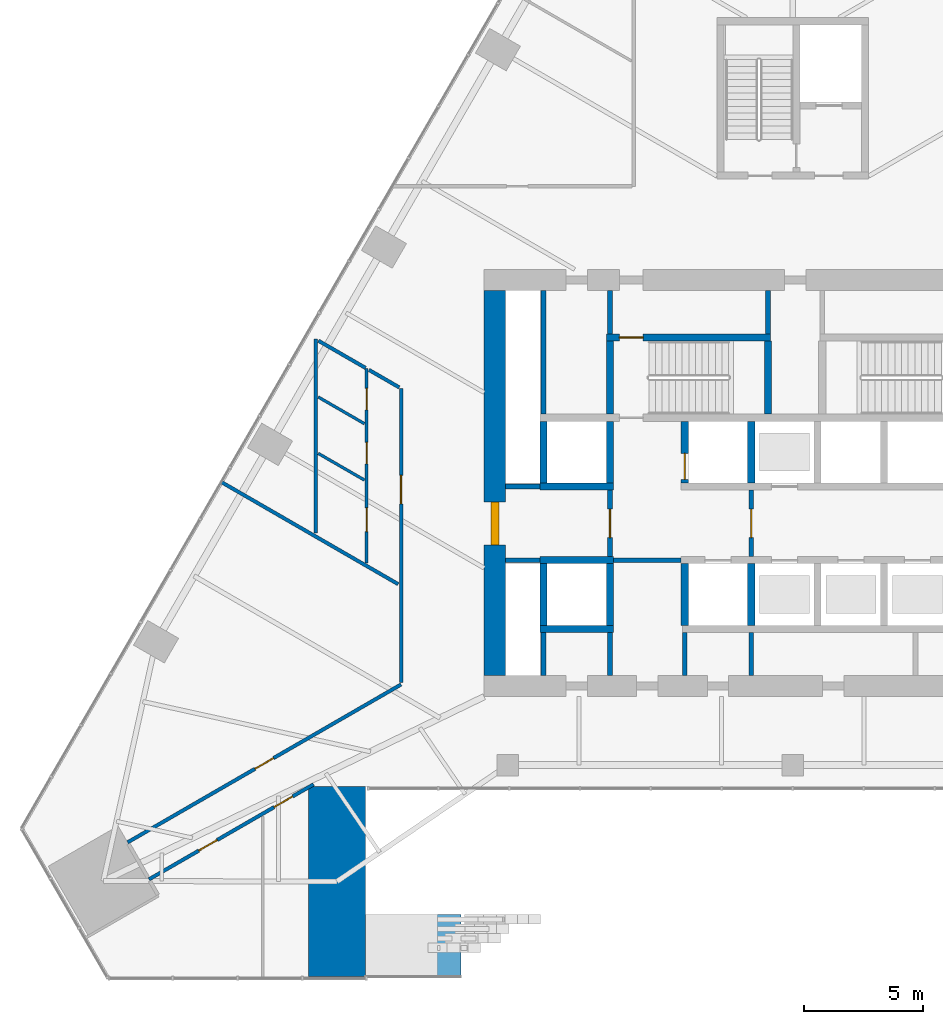
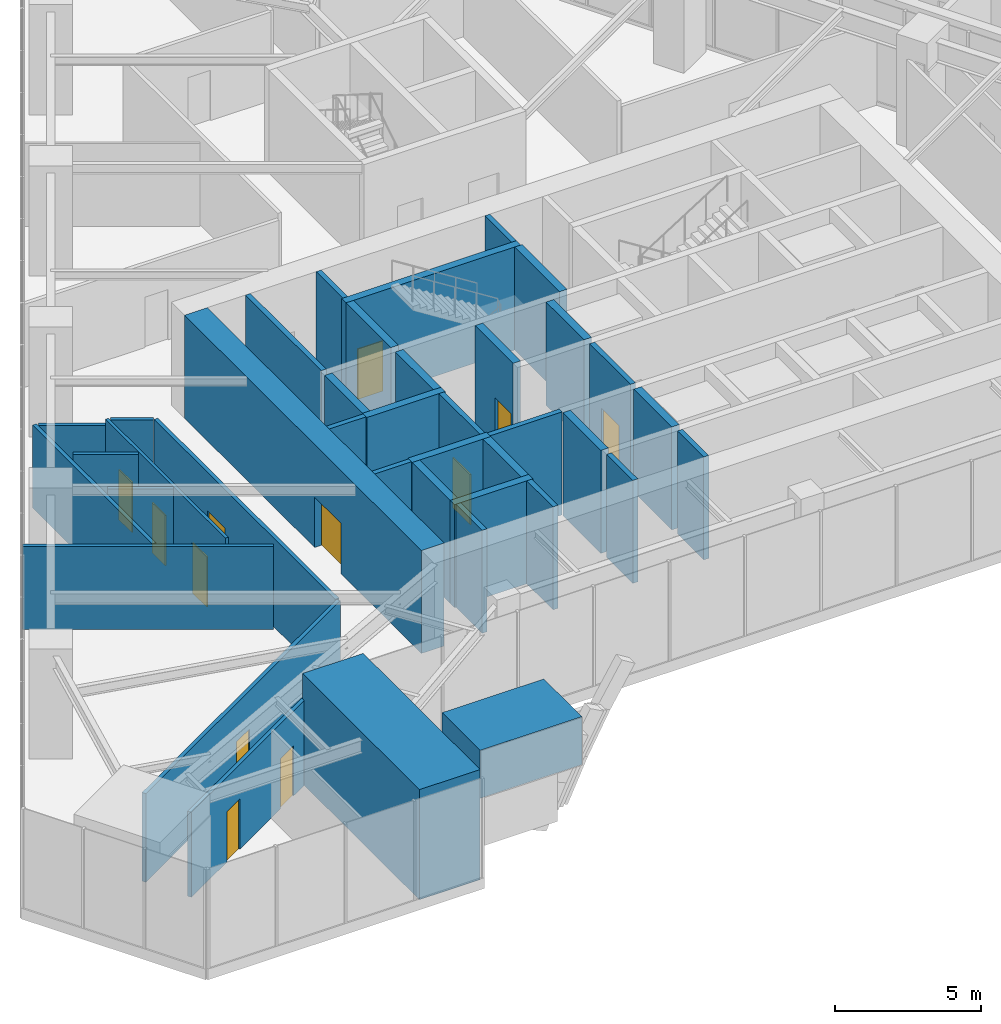
# One storey, part 17 of 30: 39 walls, 12 doors, 12 openings.
"""IFC4 building model written with IfcOpenShell, lengths in metres."""

from ifc_helpers import new_model, si_unit, direction, frame, frame_2d, origin, place, context, subcontext, project, spatial, rectangle, extrude, material, layer, layer_set, type_object, element, fill, save


model = new_model("IFC4")

# Units and contexts
model_context = context("Model", 3, precision=1e-05, world=origin(), true_north=direction((0.0, 1.0)))
body_context = subcontext(model_context, "Body", "Model", "MODEL_VIEW")
ifc_project = project(units=[si_unit("LENGTHUNIT", "METRE"), si_unit("AREAUNIT", "SQUARE_METRE"), si_unit("VOLUMEUNIT", "CUBIC_METRE"), si_unit("PLANEANGLEUNIT", "RADIAN"), si_unit("MASSUNIT", "GRAM", prefix="KILO")], contexts=[model_context])

# Site, building, storey
site_placement = place(None, origin())
site = spatial("IfcSite", under=ifc_project, at=site_placement, CompositionType="ELEMENT")
building_placement = place(site_placement, origin())
building = spatial("IfcBuilding", under=site, at=building_placement, Name="Firuza Gate Tower and Library", CompositionType="ELEMENT")
storey_placement = place(building_placement, frame((0.0, 0.0, 12.60009765625)))
storey = spatial("IfcBuildingStorey", under=building, at=storey_placement, Name="L02", CompositionType="ELEMENT", Elevation=12.60009765625)

# Walls
ifc_material_1 = material(Name="Plasterboard on steel studs", Category="steel")
ifc_layer_1 = layer(ifc_material_1, 0.199951171875)
ifc_layer_set_1 = layer_set([ifc_layer_1], Name="Core partition 200 EI 120")
wall_type_1 = type_object("IfcWallType", Name="Core partition 200 EI 120", PredefinedType="PARTITIONING", material=ifc_layer_set_1)
wall_1_placement = place(storey_placement, frame((62.89990234375, 71.75, 0.0), z_axis=(0.0, 0.0, 1.0), x_axis=(1.0, 0.0, 0.0)))
element("IfcWall", 1, at=wall_1_placement, inside=storey, type_object=wall_type_1, Name="Core partition L02 1", PredefinedType="PARTITIONING", context=body_context, shape_type="SweptSolid", body=[
    extrude(rectangle(XDim=1.4501953125, YDim=0.199951171875, at=frame_2d((0.72509765625, 0.0))), origin(), (0.0, 0.0, 1.0), 4.2998046875),
])
wall_2_placement = place(storey_placement, frame((67.449951171875, 71.75, 0.0), z_axis=(0.0, 0.0, 1.0), x_axis=(1.0, 0.0, 0.0)))
element("IfcWall", 2, at=wall_2_placement, inside=storey, type_object=wall_type_1, Name="Core partition L02 2", PredefinedType="PARTITIONING", context=body_context, shape_type="SweptSolid", body=[
    extrude(rectangle(XDim=2.85009765625, YDim=0.199951171875, at=frame_2d((1.425048828125, 0.0))), origin(), (0.0, 0.0, 1.0), 4.2998046875),
])
wall_3_placement = place(storey_placement, frame((62.89990234375, 74.85009765625, 0.0), z_axis=(0.0, 0.0, 1.0), x_axis=(1.0, 0.0, 0.0)))
element("IfcWall", 3, at=wall_3_placement, inside=storey, type_object=wall_type_1, Name="Core partition L02 3", PredefinedType="PARTITIONING", context=body_context, shape_type="SweptSolid", body=[
    extrude(rectangle(XDim=1.4501953125, YDim=0.199951171875, at=frame_2d((0.72509765625, 0.0))), origin(), (0.0, 0.0, 1.0), 4.2998046875),
])
wall_4_placement = place(storey_placement, frame((64.5, 66.89990234375, 0.0), z_axis=(0.0, 0.0, 1.0), x_axis=(0.0, 1.0, 0.0)))
element("IfcWall", 4, at=wall_4_placement, inside=storey, type_object=wall_type_1, Name="Core partition L02 5", PredefinedType="PARTITIONING", context=body_context, shape_type="SweptSolid", body=[
    extrude(rectangle(XDim=1.800048828125, YDim=0.199951171875, at=frame_2d((0.89990234375, 0.0))), origin(), (0.0, 0.0, 1.0), 4.2998046875),
])
wall_5_placement = place(storey_placement, frame((64.5, 77.89990234375, 0.0), z_axis=(0.0, 0.0, 1.0), x_axis=(0.0, 1.0, 0.0)))
element("IfcWall", 5, at=wall_5_placement, inside=storey, type_object=wall_type_1, Name="Core partition L02 6", PredefinedType="PARTITIONING", context=body_context, shape_type="SweptSolid", body=[
    extrude(rectangle(XDim=5.2001953125, YDim=0.199951171875, at=frame_2d((2.60009765625, 0.0))), origin(), (0.0, 0.0, 1.0), 4.2998046875),
])
for number, where, z_axis, x_axis, name in (
    (6, (67.300048828125, 66.89990234375, 0.0), (0.0, 0.0, 1.0), (0.0, 1.0, 0.0), "Core partition L02 7"),
    (7, (70.449951171875, 66.89990234375, 0.0), (0.0, 0.0, 1.0), (0.0, 1.0, 0.0), "Core partition L02 10"),
    (8, (73.25, 66.89990234375, 0.0), (0.0, 0.0, 1.0), (0.0, 1.0, 0.0), "Core partition L02 11"),
):
    element("IfcWall", number, at=place(storey_placement, frame(where, z_axis=z_axis, x_axis=x_axis)), inside=storey, type_object=wall_type_1, Name=name, PredefinedType="PARTITIONING", context=body_context, shape_type="SweptSolid", body=[
        extrude(rectangle(XDim=1.800048828125, YDim=0.199951171875, at=frame_2d((0.89990234375, 0.0))), origin(), (0.0, 0.0, 1.0), 4.2998046875),
    ])

# Wall, opening, door
ifc_material_2 = material(Name="Plasterboard on steel studs", Category="steel")
ifc_layer_2 = layer(ifc_material_2, 0.199951171875)
ifc_layer_set_2 = layer_set([ifc_layer_2], Name="Core partition 200 EI 60")
wall_type_2 = type_object("IfcWallType", Name="Core partition 200 EI 60", PredefinedType="PARTITIONING", material=ifc_layer_set_2)
wall_6_placement = place(storey_placement, frame((67.300048828125, 71.89990234375, 0.0), z_axis=(0.0, 0.0, 1.0), x_axis=(0.0, 1.0, 0.0)))
wall_6 = element("IfcWall", 9, at=wall_6_placement, inside=storey, type_object=wall_type_2, Name="Core partition L02 8", PredefinedType="PARTITIONING", context=body_context, shape_type="SweptSolid", body=[
    extrude(rectangle(XDim=2.800048828125, YDim=0.199951171875, at=frame_2d((1.39990234375, 0.0))), origin(), (0.0, 0.0, 1.0), 4.2998046875),
])
opening_1_placement = place(wall_6_placement, frame((0.800048828125, 0.0, 0.0)))
opening_1 = element("IfcOpeningElement", 10, at=opening_1_placement, cuts=wall_6, Name="Opening L02-K21", PredefinedType="OPENING", context=body_context, shape_type="SweptSolid", body=[
    extrude(rectangle(XDim=1.199951171875, YDim=2.10009765625, at=frame_2d((0.60009765625, 1.050048828125))), frame((0.0, 0.10986328125, 0.0), z_axis=(0.0, -1.0, 0.0), x_axis=(1.0, 0.0, 0.0)), (0.0, 0.0, 1.0), 0.219970703125),
])
ifc_material_3 = material(Name="Steel", Category="steel")
door_type_1 = type_object("IfcDoorType", Name="Fire door 1200x2100 FD90S", OperationType="NOTDEFINED", PredefinedType="DOOR", material=ifc_material_3)
door_1_placement = place(opening_1_placement, origin())
door_1 = element("IfcDoor", 11, at=door_1_placement, inside=storey, type_object=door_type_1, Name="Door L02-K21", OperationType="SINGLE_SWING_RIGHT", OverallHeight=2.10009765625, OverallWidth=1.199951171875, PredefinedType="DOOR", context=body_context, shape_type="SweptSolid", body=[
    extrude(rectangle(XDim=1.199951171875, YDim=2.10009765625, at=frame_2d((0.60009765625, 1.050048828125))), frame((0.0, 0.02490234375, 0.0), z_axis=(0.0, -1.0, 0.0), x_axis=(1.0, 0.0, 0.0)), (0.0, 0.0, 1.0), 0.050048828125),
])
fill(opening_1, door_1)

# Wall
wall_7_placement = place(storey_placement, frame((67.300048828125, 81.280029296875, 0.0), z_axis=(0.0, 0.0, 1.0), x_axis=(0.0, 1.0, 0.0)))
element("IfcWall", 12, at=wall_7_placement, inside=storey, type_object=wall_type_2, Name="Core partition L02 9", PredefinedType="PARTITIONING", context=body_context, shape_type="SweptSolid", body=[
    extrude(rectangle(XDim=1.820068359375, YDim=0.199951171875, at=frame_2d((0.91015625, 0.0))), origin(), (0.0, 0.0, 1.0), 4.2998046875),
])

# Wall, opening, door
wall_8_placement = place(storey_placement, frame((73.25, 71.89990234375, 0.0), z_axis=(0.0, 0.0, 1.0), x_axis=(0.0, 1.0, 0.0)))
wall_8 = element("IfcWall", 13, at=wall_8_placement, inside=storey, type_object=wall_type_2, Name="Core partition L02 12", PredefinedType="PARTITIONING", context=body_context, shape_type="SweptSolid", body=[
    extrude(rectangle(XDim=2.800048828125, YDim=0.199951171875, at=frame_2d((1.39990234375, 0.0))), origin(), (0.0, 0.0, 1.0), 4.2998046875),
])
opening_2_placement = place(wall_8_placement, frame((0.800048828125, 0.0, 0.0)))
opening_2 = element("IfcOpeningElement", 14, at=opening_2_placement, cuts=wall_8, Name="Opening L02-K20", PredefinedType="OPENING", context=body_context, shape_type="SweptSolid", body=[
    extrude(rectangle(XDim=1.199951171875, YDim=2.10009765625, at=frame_2d((0.60009765625, 1.050048828125))), frame((0.0, 0.10986328125, 0.0), z_axis=(0.0, -1.0, 0.0), x_axis=(1.0, 0.0, 0.0)), (0.0, 0.0, 1.0), 0.219970703125),
])
door_2_placement = place(opening_2_placement, origin())
door_2 = element("IfcDoor", 15, at=door_2_placement, inside=storey, type_object=door_type_1, Name="Door L02-K20", OperationType="SINGLE_SWING_LEFT", OverallHeight=2.10009765625, OverallWidth=1.199951171875, PredefinedType="DOOR", context=body_context, shape_type="SweptSolid", body=[
    extrude(rectangle(XDim=1.199951171875, YDim=2.10009765625, at=frame_2d((0.60009765625, 1.050048828125))), frame((0.0, 0.02490234375, 0.0), z_axis=(0.0, -1.0, 0.0), x_axis=(1.0, 0.0, 0.0)), (0.0, 0.0, 1.0), 0.050048828125),
])
fill(opening_2, door_2)

# Walls
wall_9_placement = place(storey_placement, frame((73.9599609375, 81.280029296875, 0.0), z_axis=(0.0, 0.0, 1.0), x_axis=(0.0, 1.0, 0.0)))
element("IfcWall", 16, at=wall_9_placement, inside=storey, type_object=wall_type_2, Name="Core partition L02 13", PredefinedType="PARTITIONING", context=body_context, shape_type="SweptSolid", body=[
    extrude(rectangle(XDim=1.820068359375, YDim=0.199951171875, at=frame_2d((0.91015625, 0.0))), origin(), (0.0, 0.0, 1.0), 4.2998046875),
])
ifc_material_4 = material(Name="Concrete C80/95", Category="concrete")
ifc_layer_3 = layer(ifc_material_4, 0.300048828125)
ifc_layer_set_3 = layer_set([ifc_layer_3], Name="Core wall 300 C80/95")
wall_type_3 = type_object("IfcWallType", Name="Core wall 300 C80/95", PredefinedType="SHEAR", material=ifc_layer_set_3)
for number, where, z_axis, x_axis, name in (
    (17, (64.35009765625, 68.85009765625, 0.0), (0.0, 0.0, 1.0), (1.0, 0.0, 0.0), "Core wall L02 5"),
    (18, (64.35009765625, 71.75, 0.0), (0.0, 0.0, 1.0), (1.0, 0.0, 0.0), "Core wall L02 7"),
    (19, (64.35009765625, 74.85009765625, 0.0), (0.0, 0.0, 1.0), (1.0, 0.0, 0.0), "Core wall L02 9"),
):
    element("IfcWall", number, at=place(storey_placement, frame(where, z_axis=z_axis, x_axis=x_axis)), inside=storey, type_object=wall_type_3, Name=name, PredefinedType="SHEAR", context=body_context, shape_type="SweptSolid", body=[
        extrude(rectangle(XDim=3.099853515625, YDim=0.300048828125, at=frame_2d((1.5498046875, 0.0))), origin(), (0.0, 0.0, 1.0), 4.2998046875),
    ])
for number, where, z_axis, x_axis, name in (
    (20, (64.5, 69.0, 0.0), (0.0, 0.0, 1.0), (0.0, 1.0, 0.0), "Core wall L02 11"),
    (21, (64.5, 75.0, 0.0), (0.0, 0.0, 1.0), (0.0, 1.0, 0.0), "Core wall L02 12"),
    (22, (67.300048828125, 69.0, 0.0), (0.0, 0.0, 1.0), (0.0, 1.0, 0.0), "Core wall L02 13"),
    (23, (67.300048828125, 75.0, 0.0), (0.0, 0.0, 1.0), (0.0, 1.0, 0.0), "Core wall L02 14"),
    (24, (70.449951171875, 69.0, 0.0), (0.0, 0.0, 1.0), (0.0, 1.0, 0.0), "Core wall L02 15"),
):
    element("IfcWall", number, at=place(storey_placement, frame(where, z_axis=z_axis, x_axis=x_axis)), inside=storey, type_object=wall_type_3, Name=name, PredefinedType="SHEAR", context=body_context, shape_type="SweptSolid", body=[
        extrude(rectangle(XDim=2.60009765625, YDim=0.300048828125, at=frame_2d((1.300048828125, 0.0))), origin(), (0.0, 0.0, 1.0), 4.2998046875),
    ])

# Wall, opening, door
wall_10_placement = place(storey_placement, frame((70.449951171875, 75.0, 0.0), z_axis=(0.0, 0.0, 1.0), x_axis=(0.0, 1.0, 0.0)))
wall_10 = element("IfcWall", 25, at=wall_10_placement, inside=storey, type_object=wall_type_3, Name="Core wall L02 16", PredefinedType="SHEAR", context=body_context, shape_type="SweptSolid", body=[
    extrude(rectangle(XDim=2.60009765625, YDim=0.300048828125, at=frame_2d((1.300048828125, 0.0))), origin(), (0.0, 0.0, 1.0), 4.2998046875),
])
opening_3_placement = place(wall_10_placement, frame((0.14990234375, 0.0, 0.0)))
opening_3 = element("IfcOpeningElement", 26, at=opening_3_placement, cuts=wall_10, Name="Opening LD-FF2-L02", PredefinedType="OPENING", context=body_context, shape_type="SweptSolid", body=[
    extrude(rectangle(XDim=1.10009765625, YDim=2.10009765625, at=frame_2d((0.550048828125, 1.050048828125))), frame((0.0, 0.16015625, 0.0), z_axis=(0.0, -1.0, 0.0), x_axis=(1.0, 0.0, 0.0)), (0.0, 0.0, 1.0), 0.320068359375),
])
ifc_material_5 = material(Name="Stainless steel", Category="steel")
door_type_2 = type_object("IfcDoorType", Name="Lift landing door 1100x2100", OperationType="DOUBLE_DOOR_SLIDING", PredefinedType="DOOR", material=ifc_material_5)
door_3_placement = place(opening_3_placement, origin())
door_3 = element("IfcDoor", 27, at=door_3_placement, inside=storey, type_object=door_type_2, Name="Landing door FF2 L02", OperationType="DOUBLE_DOOR_SLIDING", OverallHeight=2.10009765625, OverallWidth=1.10009765625, PredefinedType="DOOR", context=body_context, shape_type="SweptSolid", body=[
    extrude(rectangle(XDim=1.10009765625, YDim=2.10009765625, at=frame_2d((0.550048828125, 1.050048828125))), frame((0.0, 0.02490234375, 0.0), z_axis=(0.0, -1.0, 0.0), x_axis=(1.0, 0.0, 0.0)), (0.0, 0.0, 1.0), 0.050048828125),
])
fill(opening_3, door_3)

# Walls
for number, where, z_axis, x_axis, name in (
    (28, (73.25, 69.0, 0.0), (0.0, 0.0, 1.0), (0.0, 1.0, 0.0), "Core wall L02 17"),
    (29, (73.25, 75.0, 0.0), (0.0, 0.0, 1.0), (0.0, 1.0, 0.0), "Core wall L02 18"),
):
    element("IfcWall", number, at=place(storey_placement, frame(where, z_axis=z_axis, x_axis=x_axis)), inside=storey, type_object=wall_type_3, Name=name, PredefinedType="SHEAR", context=body_context, shape_type="SweptSolid", body=[
        extrude(rectangle(XDim=2.60009765625, YDim=0.300048828125, at=frame_2d((1.300048828125, 0.0))), origin(), (0.0, 0.0, 1.0), 4.2998046875),
    ])

# Wall, opening, door
wall_11_placement = place(storey_placement, frame((67.14990234375, 81.1298828125, 0.0), z_axis=(0.0, 0.0, 1.0), x_axis=(1.0, 0.0, 0.0)))
wall_11 = element("IfcWall", 30, at=wall_11_placement, inside=storey, type_object=wall_type_3, Name="Core wall L02 28", PredefinedType="SHEAR", context=body_context, shape_type="SweptSolid", body=[
    extrude(rectangle(XDim=6.91015625, YDim=0.300048828125, at=frame_2d((3.455078125, 0.0))), origin(), (0.0, 0.0, 1.0), 4.2998046875),
])
opening_4_placement = place(wall_11_placement, frame((0.544921875, 0.0, 0.0)))
opening_4 = element("IfcOpeningElement", 31, at=opening_4_placement, cuts=wall_11, Name="Opening L02-K13", PredefinedType="OPENING", context=body_context, shape_type="SweptSolid", body=[
    extrude(rectangle(XDim=1.0, YDim=2.10009765625, at=frame_2d((0.5, 1.050048828125))), frame((0.0, 0.16015625, 0.0), z_axis=(0.0, -1.0, 0.0), x_axis=(1.0, 0.0, 0.0)), (0.0, 0.0, 1.0), 0.320068359375),
])
ifc_material_6 = material(Name="Steel", Category="steel")
door_type_3 = type_object("IfcDoorType", Name="Fire door 1000x2100 FD90", OperationType="NOTDEFINED", PredefinedType="DOOR", material=ifc_material_6)
door_4_placement = place(opening_4_placement, origin())
door_4 = element("IfcDoor", 32, at=door_4_placement, inside=storey, type_object=door_type_3, Name="Door L02-K13", OperationType="SINGLE_SWING_RIGHT", OverallHeight=2.10009765625, OverallWidth=1.0, PredefinedType="DOOR", context=body_context, shape_type="SweptSolid", body=[
    extrude(rectangle(XDim=1.0, YDim=2.10009765625, at=frame_2d((0.5, 1.050048828125))), frame((0.0, 0.02490234375, 0.0), z_axis=(0.0, -1.0, 0.0), x_axis=(1.0, 0.0, 0.0)), (0.0, 0.0, 1.0), 0.050048828125),
])
fill(opening_4, door_4)

# Walls
for number, where, z_axis, x_axis, name in (
    (33, (67.300048828125, 77.89990234375, 0.0), (0.0, 0.0, 1.0), (0.0, 1.0, 0.0), "Core wall L02 30"),
    (34, (73.9599609375, 77.89990234375, 0.0), (0.0, 0.0, 1.0), (0.0, 1.0, 0.0), "Core wall L02 31"),
):
    element("IfcWall", number, at=place(storey_placement, frame(where, z_axis=z_axis, x_axis=x_axis)), inside=storey, type_object=wall_type_3, Name=name, PredefinedType="SHEAR", context=body_context, shape_type="SweptSolid", body=[
        extrude(rectangle(XDim=3.080078125, YDim=0.300048828125, at=frame_2d((1.5400390625, 0.0))), origin(), (0.0, 0.0, 1.0), 4.2998046875),
    ])

# Wall, opening, door
ifc_material_7 = material(Name="Concrete C80/95", Category="concrete")
ifc_layer_4 = layer(ifc_material_7, 0.89990234375)
ifc_layer_set_4 = layer_set([ifc_layer_4], Name="Core wall 900 C80/95")
wall_type_4 = type_object("IfcWallType", Name="Core wall 900 C80/95", PredefinedType="SHEAR", material=ifc_layer_set_4)
wall_12_placement = place(storey_placement, frame((62.449951171875, 66.89990234375, 0.0), z_axis=(0.0, 0.0, 1.0), x_axis=(0.0, 1.0, 0.0)))
wall_12 = element("IfcWall", 35, at=wall_12_placement, inside=storey, type_object=wall_type_4, Name="Core wall L02 3", PredefinedType="SHEAR", context=body_context, shape_type="SweptSolid", body=[
    extrude(rectangle(XDim=16.2001953125, YDim=0.89990234375, at=frame_2d((8.10009765625, 0.0))), origin(), (0.0, 0.0, 1.0), 4.2998046875),
])
opening_5_placement = place(wall_12_placement, frame((5.5, 0.0, 0.0)))
opening_5 = element("IfcOpeningElement", 36, at=opening_5_placement, cuts=wall_12, Name="Opening L02-K22", PredefinedType="OPENING", context=body_context, shape_type="SweptSolid", body=[
    extrude(rectangle(XDim=1.800048828125, YDim=2.10009765625, at=frame_2d((0.89990234375, 1.050048828125))), frame((0.0, 0.4599609375, 0.0), z_axis=(0.0, -1.0, 0.0), x_axis=(1.0, 0.0, 0.0)), (0.0, 0.0, 1.0), 0.919921875),
])
ifc_material_8 = material(Name="Steel", Category="steel")
door_type_4 = type_object("IfcDoorType", Name="Fire door 1800x2100 FD30S", OperationType="NOTDEFINED", PredefinedType="DOOR", material=ifc_material_8)
door_5_placement = place(opening_5_placement, origin())
door_5 = element("IfcDoor", 37, at=door_5_placement, inside=storey, type_object=door_type_4, Name="Door L02-K22", OperationType="SINGLE_SWING_LEFT", OverallHeight=2.10009765625, OverallWidth=1.800048828125, PredefinedType="DOOR", context=body_context, shape_type="SweptSolid", body=[
    extrude(rectangle(XDim=1.800048828125, YDim=2.10009765625, at=frame_2d((0.89990234375, 1.050048828125))), frame((0.0, 0.169921875, 0.0), z_axis=(0.0, -1.0, 0.0), x_axis=(1.0, 0.0, 0.0)), (0.0, 0.0, 1.0), 0.33984375),
])
fill(opening_5, door_5)

# Wall, openings, doors
ifc_material_9 = material(Name="Gypsum board partition")
ifc_layer_5 = layer(ifc_material_9, 0.14990234375)
ifc_layer_set_5 = layer_set([ifc_layer_5], Name="Corridor wall 150 double board on steel studs")
wall_type_5 = type_object("IfcWallType", Name="Corridor wall 150 double board on steel studs", PredefinedType="PARTITIONING", material=ifc_layer_set_5)
wall_13_placement = place(storey_placement, frame((54.813720703125, 62.306396484375, 0.0), z_axis=(0.0, 0.0, 1.0), x_axis=(-0.866017985154, -0.500012849225, 0.0)))
wall_13 = element("IfcWall", 38, at=wall_13_placement, inside=storey, type_object=wall_type_5, Name="f:L02:w009", PredefinedType="PARTITIONING", context=body_context, shape_type="SweptSolid", body=[
    extrude(rectangle(XDim=8.005126953125, YDim=0.14990234375, at=frame_2d((4.00244140625, 0.0))), origin(), (0.0, 0.0, 1.0), 3.546875),
])
opening_6_placement = place(wall_13_placement, frame((1.018798828125, 0.0, 0.0)))
opening_6 = element("IfcOpeningElement", 39, at=opening_6_placement, cuts=wall_13, Name="Opening L02-04", PredefinedType="OPENING", context=body_context, shape_type="SweptSolid", body=[
    extrude(rectangle(XDim=0.89990234375, YDim=2.10009765625, at=frame_2d((0.449951171875, 1.050048828125))), frame((0.0, 0.0849609375, 0.0), z_axis=(0.0, -1.0, 0.0), x_axis=(1.0, 0.0, 0.0)), (0.0, 0.0, 1.0), 0.169921875),
])
opening_7_placement = place(wall_13_placement, frame((4.68310546875, 0.0, 0.0)))
opening_7 = element("IfcOpeningElement", 40, at=opening_7_placement, cuts=wall_13, Name="Opening L02-05", PredefinedType="OPENING", context=body_context, shape_type="SweptSolid", body=[
    extrude(rectangle(XDim=0.89990234375, YDim=2.10009765625, at=frame_2d((0.449951171875, 1.050048828125))), frame((0.0, 0.0849609375, 0.0), z_axis=(0.0, -1.0, 0.0), x_axis=(1.0, 0.0, 0.0)), (0.0, 0.0, 1.0), 0.169921875),
])
ifc_material_10 = material(Name="Steel door and timber leaf", Category="steel")
door_type_5 = type_object("IfcDoorType", Name="Fire door 900 x 2100 steel frame, timber leaf", OperationType="NOTDEFINED", PredefinedType="DOOR", material=ifc_material_10)
door_6_placement = place(opening_6_placement, origin())
door_6 = element("IfcDoor", 41, at=door_6_placement, inside=storey, type_object=door_type_5, Name="f:L02:d004", OperationType="SINGLE_SWING_LEFT", OverallHeight=2.10009765625, OverallWidth=0.89990234375, PredefinedType="DOOR", context=body_context, shape_type="SweptSolid", body=[
    extrude(rectangle(XDim=0.89990234375, YDim=2.10009765625, at=frame_2d((0.449951171875, 1.050048828125))), frame((0.0, 0.02490234375, 0.0), z_axis=(0.0, -1.0, 0.0), x_axis=(1.0, 0.0, 0.0)), (0.0, 0.0, 1.0), 0.050048828125),
])
fill(opening_6, door_6)
door_7_placement = place(opening_7_placement, origin())
door_7 = element("IfcDoor", 42, at=door_7_placement, inside=storey, type_object=door_type_5, Name="f:L02:d005", OperationType="SINGLE_SWING_RIGHT", OverallHeight=2.10009765625, OverallWidth=0.89990234375, PredefinedType="DOOR", context=body_context, shape_type="SweptSolid", body=[
    extrude(rectangle(XDim=0.89990234375, YDim=2.10009765625, at=frame_2d((0.449951171875, 1.050048828125))), frame((0.0, 0.02490234375, 0.0), z_axis=(0.0, -1.0, 0.0), x_axis=(1.0, 0.0, 0.0)), (0.0, 0.0, 1.0), 0.050048828125),
])
fill(opening_7, door_7)

# Wall, opening, door
wall_14_placement = place(storey_placement, frame((46.9814453125, 59.86279296875, 0.0), z_axis=(0.0, 0.0, 1.0), x_axis=(0.866028469435, 0.4999946901, 0.0)))
wall_14 = element("IfcWall", 43, at=wall_14_placement, inside=storey, type_object=wall_type_5, Name="f:L02:w011", PredefinedType="PARTITIONING", context=body_context, shape_type="SweptSolid", body=[
    extrude(rectangle(XDim=13.300537109375, YDim=0.14990234375, at=frame_2d((6.650390625, 0.0))), origin(), (0.0, 0.0, 1.0), 3.699951171875),
])
opening_8_placement = place(wall_14_placement, frame((6.2001953125, 0.0, 0.0)))
opening_8 = element("IfcOpeningElement", 44, at=opening_8_placement, cuts=wall_14, Name="Opening L02-06", PredefinedType="OPENING", context=body_context, shape_type="SweptSolid", body=[
    extrude(rectangle(XDim=0.89990234375, YDim=2.10009765625, at=frame_2d((0.449951171875, 1.050048828125))), frame((0.0, 0.0849609375, 0.0), z_axis=(0.0, -1.0, 0.0), x_axis=(1.0, 0.0, 0.0)), (0.0, 0.0, 1.0), 0.169921875),
])
door_8_placement = place(opening_8_placement, origin())
door_8 = element("IfcDoor", 45, at=door_8_placement, inside=storey, type_object=door_type_5, Name="f:L02:d006", OperationType="SINGLE_SWING_LEFT", OverallHeight=2.10009765625, OverallWidth=0.89990234375, PredefinedType="DOOR", context=body_context, shape_type="SweptSolid", body=[
    extrude(rectangle(XDim=0.89990234375, YDim=2.10009765625, at=frame_2d((0.449951171875, 1.050048828125))), frame((0.0, 0.02490234375, 0.0), z_axis=(0.0, -1.0, 0.0), x_axis=(1.0, 0.0, 0.0)), (0.0, 0.0, 1.0), 0.050048828125),
])
fill(opening_8, door_8)

wall_15_placement = place(storey_placement, frame((58.5, 66.599609375, 0.0), z_axis=(0.0, 0.0, 1.0), x_axis=(0.0, 1.0, 0.0)))
wall_15 = element("IfcWall", 46, at=wall_15_placement, inside=storey, type_object=wall_type_5, Name="f:L02:w021", PredefinedType="PARTITIONING", context=body_context, shape_type="SweptSolid", body=[
    extrude(rectangle(XDim=12.384033203125, YDim=0.14990234375, at=frame_2d((6.19189453125, 0.0))), origin(), (0.0, 0.0, 1.0), 3.699951171875),
])
opening_9_placement = place(wall_15_placement, frame((7.525634765625, 0.0, 0.0)))
opening_9 = element("IfcOpeningElement", 47, at=opening_9_placement, cuts=wall_15, Name="Opening L02-12", PredefinedType="OPENING", context=body_context, shape_type="SweptSolid", body=[
    extrude(rectangle(XDim=1.199951171875, YDim=2.10009765625, at=frame_2d((0.60009765625, 1.050048828125))), frame((0.0, 0.0849609375, 0.0), z_axis=(0.0, -1.0, 0.0), x_axis=(1.0, 0.0, 0.0)), (0.0, 0.0, 1.0), 0.169921875),
])
ifc_material_11 = material(Name="Steel door and timber leaf", Category="steel")
door_type_6 = type_object("IfcDoorType", Name="Fire door 1200 x 2100 steel frame, double leaf", OperationType="NOTDEFINED", PredefinedType="DOOR", material=ifc_material_11)
door_9_placement = place(opening_9_placement, origin())
door_9 = element("IfcDoor", 48, at=door_9_placement, inside=storey, type_object=door_type_6, Name="f:L02:d012", OperationType="DOUBLE_DOOR_SINGLE_SWING", OverallHeight=2.10009765625, OverallWidth=1.199951171875, PredefinedType="DOOR", context=body_context, shape_type="SweptSolid", body=[
    extrude(rectangle(XDim=1.199951171875, YDim=2.10009765625, at=frame_2d((0.60009765625, 1.050048828125))), frame((0.0, 0.02490234375, 0.0), z_axis=(0.0, -1.0, 0.0), x_axis=(1.0, 0.0, 0.0)), (0.0, 0.0, 1.0), 0.050048828125),
])
fill(opening_9, door_9)

# Walls
wall_16_placement = place(storey_placement, frame((54.89990234375, 72.885009765625, 0.0), z_axis=(0.0, 0.0, 1.0), x_axis=(0.0, 1.0, 0.0)))
element("IfcWall", 49, at=wall_16_placement, inside=storey, type_object=wall_type_5, Name="f:L02:w023", PredefinedType="PARTITIONING", context=body_context, shape_type="SweptSolid", body=[
    extrude(rectangle(XDim=8.17724609375, YDim=0.14990234375, at=frame_2d((4.088623046875, 0.0))), origin(), (0.0, 0.0, 1.0), 3.46484375),
])
wall_17_placement = place(storey_placement, frame((58.425048828125, 79.027099609375, 0.0), z_axis=(0.0, 0.0, 1.0), x_axis=(-0.866045035609, 0.499965995141, 0.0)))
element("IfcWall", 50, at=wall_17_placement, inside=storey, type_object=wall_type_5, Name="f:L02:w030", PredefinedType="PARTITIONING", context=body_context, shape_type="SweptSolid", body=[
    extrude(rectangle(XDim=1.47509765625, YDim=0.14990234375, at=frame_2d((0.737548828125, 0.0))), origin(), (0.0, 0.0, 1.0), 3.699951171875),
])
wall_18_placement = place(storey_placement, frame((58.3818359375, 70.73828125, 0.0), z_axis=(0.0, 0.0, 1.0), x_axis=(-0.866034496973, 0.499984249804, 0.0)))
element("IfcWall", 51, at=wall_18_placement, inside=storey, type_object=wall_type_5, Name="f:L02:w033", PredefinedType="PARTITIONING", context=body_context, shape_type="SweptSolid", body=[
    extrude(rectangle(XDim=8.583740234375, YDim=0.14990234375, at=frame_2d((4.2919921875, 0.0))), origin(), (0.0, 0.0, 1.0), 3.46484375),
])
wall_19_placement = place(storey_placement, frame((57.005126953125, 79.846923828125, 0.0), z_axis=(0.0, 0.0, 1.0), x_axis=(-0.866047360252, 0.499961968354, 0.0)))
element("IfcWall", 52, at=wall_19_placement, inside=storey, type_object=wall_type_5, Name="f:L02:w037", PredefinedType="PARTITIONING", context=body_context, shape_type="SweptSolid", body=[
    extrude(rectangle(XDim=2.294189453125, YDim=0.14990234375, at=frame_2d((1.14697265625, 0.0))), origin(), (0.0, 0.0, 1.0), 3.46484375),
])
ifc_material_12 = material(Name="Concrete C80/95", Category="concrete")
ifc_layer_6 = layer(ifc_material_12, 2.39990234375)
ifc_layer_set_6 = layer_set([ifc_layer_6], Name="Iwan wall 2400 C80/95")
wall_type_6 = type_object("IfcWallType", Name="Iwan wall 2400 C80/95", PredefinedType="SHEAR", material=ifc_layer_set_6)
wall_20_placement = place(storey_placement, frame((55.800048828125, 54.21533203125, 0.0), z_axis=(0.0, 0.0, 1.0), x_axis=(0.0, 1.0, 0.0)))
element("IfcWall", 53, at=wall_20_placement, inside=storey, type_object=wall_type_6, Name="Iwan wall W L02", PredefinedType="SHEAR", context=body_context, shape_type="SweptSolid", body=[
    extrude(rectangle(XDim=8.0, YDim=2.39990234375, at=frame_2d((4.0, 0.0))), origin(), (0.0, 0.0, 1.0), 4.599853515625),
])
ifc_material_13 = material(Name="Concrete C60/75", Category="concrete")
ifc_layer_7 = layer(ifc_material_13, 2.60009765625)
ifc_layer_set_7 = layer_set([ifc_layer_7], Name="Portal wall 2600 C60/75")
wall_type_7 = type_object("IfcWallType", Name="Portal wall 2600 C60/75", PredefinedType="SOLIDWALL", material=ifc_layer_set_7)
wall_21_placement = place(storey_placement, frame((57.0, 55.515380859375, 3.39990234375), z_axis=(0.0, 0.0, 1.0), x_axis=(1.0, 0.0, 0.0)))
element("IfcWall", 54, at=wall_21_placement, inside=storey, type_object=wall_type_7, Name="Portal wall course 9", PredefinedType="SOLIDWALL", context=body_context, shape_type="SweptSolid", body=[
    extrude(rectangle(XDim=4.0146484375, YDim=2.60009765625, at=frame_2d((2.00732421875, 0.0))), origin(), (0.0, 0.0, 1.0), 2.0),
])

# Wall, openings, doors
ifc_material_14 = material(Name="Gypsum board partition")
ifc_layer_8 = layer(ifc_material_14, 0.1201171875)
ifc_layer_set_8 = layer_set([ifc_layer_8], Name="Wet-area partition 120 moisture-resistant board")
wall_type_8 = type_object("IfcWallType", Name="Wet-area partition 120 moisture-resistant board", PredefinedType="PARTITIONING", material=ifc_layer_set_8)
wall_22_placement = place(storey_placement, frame((57.050048828125, 79.82080078125, 0.0), z_axis=(0.0, 0.0, 1.0), x_axis=(0.0, -1.0, 0.0)))
wall_22 = element("IfcWall", 55, at=wall_22_placement, inside=storey, type_object=wall_type_8, Name="f:L02:w022", PredefinedType="PARTITIONING", context=body_context, shape_type="SweptSolid", body=[
    extrude(rectangle(XDim=8.187255859375, YDim=0.1201171875, at=frame_2d((4.09375, 0.0))), origin(), (0.0, 0.0, 1.0), 3.699951171875),
])
opening_10_placement = place(wall_22_placement, frame((0.839111328125, 0.0, 0.0)))
opening_10 = element("IfcOpeningElement", 56, at=opening_10_placement, cuts=wall_22, Name="Opening L02-13", PredefinedType="OPENING", context=body_context, shape_type="SweptSolid", body=[
    extrude(rectangle(XDim=0.89990234375, YDim=2.10009765625, at=frame_2d((0.449951171875, 1.050048828125))), frame((0.0, 0.070068359375, 0.0), z_axis=(0.0, -1.0, 0.0), x_axis=(1.0, 0.0, 0.0)), (0.0, 0.0, 1.0), 0.14013671875),
])
opening_11_placement = place(wall_22_placement, frame((3.11279296875, 0.0, 0.0)))
opening_11 = element("IfcOpeningElement", 57, at=opening_11_placement, cuts=wall_22, Name="Opening L02-14", PredefinedType="OPENING", context=body_context, shape_type="SweptSolid", body=[
    extrude(rectangle(XDim=0.89990234375, YDim=2.10009765625, at=frame_2d((0.449951171875, 1.050048828125))), frame((0.0, 0.070068359375, 0.0), z_axis=(0.0, -1.0, 0.0), x_axis=(1.0, 0.0, 0.0)), (0.0, 0.0, 1.0), 0.14013671875),
])
opening_12_placement = place(wall_22_placement, frame((5.8671875, 0.0, 0.0)))
opening_12 = element("IfcOpeningElement", 58, at=opening_12_placement, cuts=wall_22, Name="Opening L02-15", PredefinedType="OPENING", context=body_context, shape_type="SweptSolid", body=[
    extrude(rectangle(XDim=1.0, YDim=2.10009765625, at=frame_2d((0.5, 1.050048828125))), frame((0.0, 0.070068359375, 0.0), z_axis=(0.0, -1.0, 0.0), x_axis=(1.0, 0.0, 0.0)), (0.0, 0.0, 1.0), 0.14013671875),
])
ifc_material_15 = material(Name="Timber door", Category="wood")
door_type_7 = type_object("IfcDoorType", Name="Door 1000 x 2100 timber leaf", OperationType="NOTDEFINED", PredefinedType="DOOR", material=ifc_material_15)
door_10_placement = place(opening_12_placement, origin())
door_10 = element("IfcDoor", 59, at=door_10_placement, inside=storey, type_object=door_type_7, Name="f:L02:d015", OperationType="SINGLE_SWING_LEFT", OverallHeight=2.10009765625, OverallWidth=1.0, PredefinedType="DOOR", context=body_context, shape_type="SweptSolid", body=[
    extrude(rectangle(XDim=1.0, YDim=2.10009765625, at=frame_2d((0.5, 1.050048828125))), frame((0.0, 0.02490234375, 0.0), z_axis=(0.0, -1.0, 0.0), x_axis=(1.0, 0.0, 0.0)), (0.0, 0.0, 1.0), 0.050048828125),
])
fill(opening_12, door_10)
ifc_material_16 = material(Name="Timber door", Category="wood")
door_type_8 = type_object("IfcDoorType", Name="Door 900 x 2100 timber leaf", OperationType="NOTDEFINED", PredefinedType="DOOR", material=ifc_material_16)
door_11_placement = place(opening_10_placement, origin())
door_11 = element("IfcDoor", 60, at=door_11_placement, inside=storey, type_object=door_type_8, Name="f:L02:d013", OperationType="SINGLE_SWING_LEFT", OverallHeight=2.10009765625, OverallWidth=0.89990234375, PredefinedType="DOOR", context=body_context, shape_type="SweptSolid", body=[
    extrude(rectangle(XDim=0.89990234375, YDim=2.10009765625, at=frame_2d((0.449951171875, 1.050048828125))), frame((0.0, 0.02490234375, 0.0), z_axis=(0.0, -1.0, 0.0), x_axis=(1.0, 0.0, 0.0)), (0.0, 0.0, 1.0), 0.050048828125),
])
fill(opening_10, door_11)
door_12_placement = place(opening_11_placement, origin())
door_12 = element("IfcDoor", 61, at=door_12_placement, inside=storey, type_object=door_type_8, Name="f:L02:d014", OperationType="SINGLE_SWING_RIGHT", OverallHeight=2.10009765625, OverallWidth=0.89990234375, PredefinedType="DOOR", context=body_context, shape_type="SweptSolid", body=[
    extrude(rectangle(XDim=0.89990234375, YDim=2.10009765625, at=frame_2d((0.449951171875, 1.050048828125))), frame((0.0, 0.02490234375, 0.0), z_axis=(0.0, -1.0, 0.0), x_axis=(1.0, 0.0, 0.0)), (0.0, 0.0, 1.0), 0.050048828125),
])
fill(opening_11, door_12)

# Walls
for number, where, z_axis, x_axis, name in (
    (62, (56.95556640625, 77.500244140625, 0.0), (0.0, 0.0, 1.0), (-0.866001014111, 0.500042241774, 0.0), "f:L02:w031"),
    (63, (56.95556640625, 75.125, 0.0), (0.0, 0.0, 1.0), (-0.866001014111, 0.500042241774, 0.0), "f:L02:w032"),
):
    element("IfcWall", number, at=place(storey_placement, frame(where, z_axis=z_axis, x_axis=x_axis)), inside=storey, type_object=wall_type_8, Name=name, PredefinedType="PARTITIONING", context=body_context, shape_type="SweptSolid", body=[
        extrude(rectangle(XDim=2.246826171875, YDim=0.1201171875, at=frame_2d((1.12353515625, 0.0))), origin(), (0.0, 0.0, 1.0), 3.699951171875),
    ])

save(model, "model.ifc")
